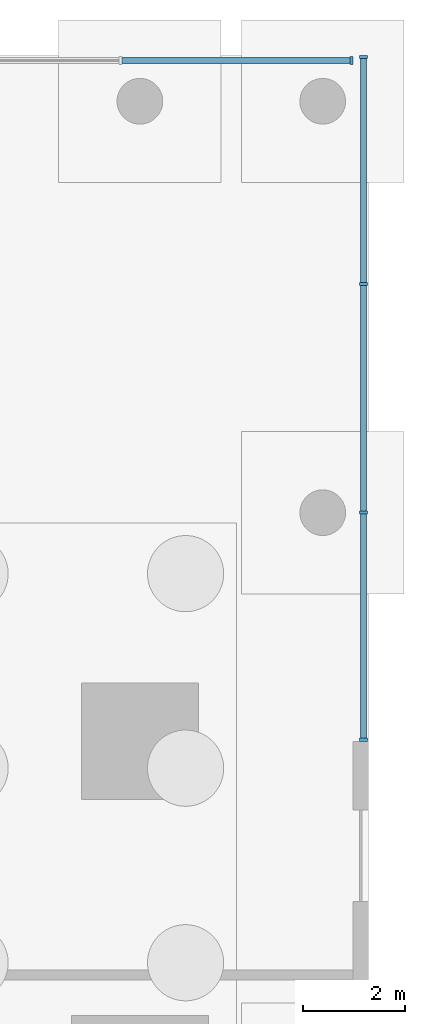
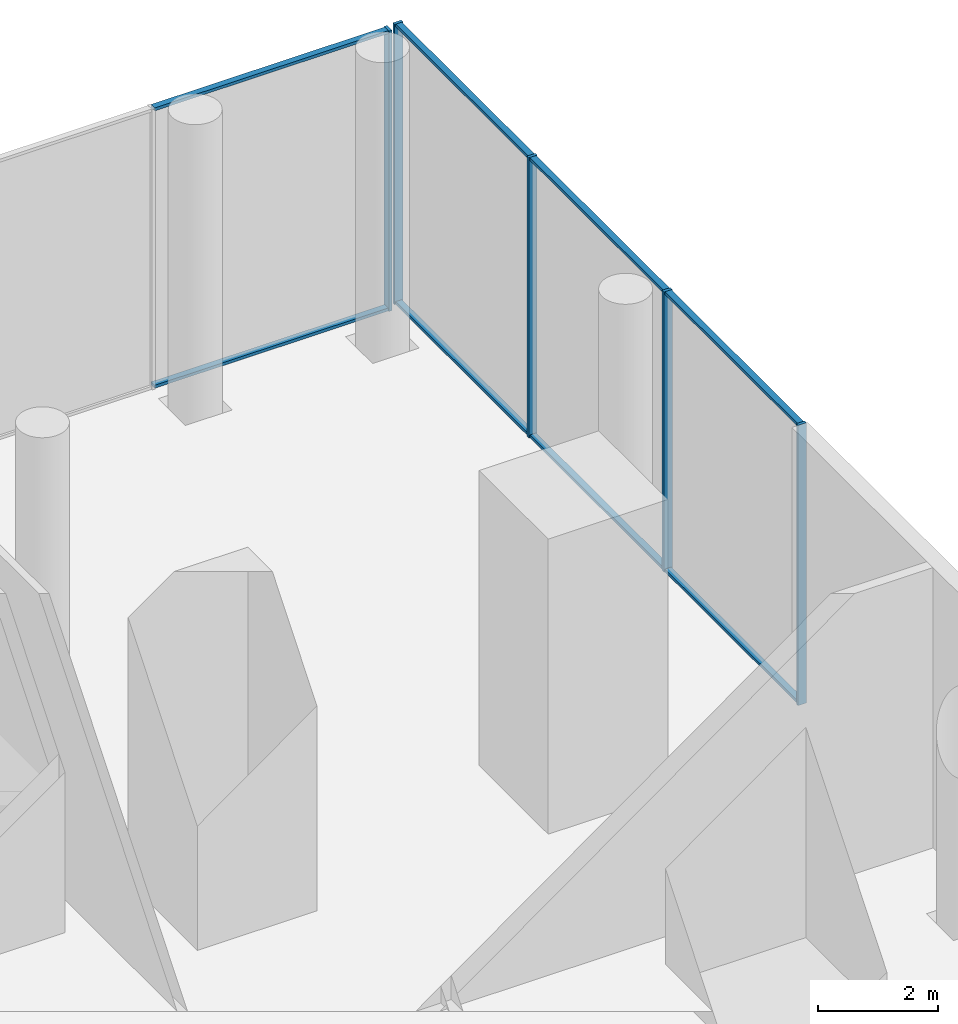
# One storey, part 14 of 31: 13 members, 2 elements without a shape of their own.
"""IFC4 building model written with IfcOpenShell, lengths in metres."""

from ifc_helpers import new_model, si_unit, direction, frame, origin, origin_2d, place, context, subcontext, project, spatial, rectangle, extrude, material, layer, layer_set, material_profile, profile_set, type_object, element, aggregate, save


model = new_model("IFC4")

# Units and contexts
model_context = context("Model", 3, precision=1e-05, world=origin(), true_north=direction((0.0, 1.0)))
body_context = subcontext(model_context, "Body", "Model", "MODEL_VIEW")
ifc_project = project(units=[si_unit("LENGTHUNIT", "METRE"), si_unit("AREAUNIT", "SQUARE_METRE"), si_unit("VOLUMEUNIT", "CUBIC_METRE"), si_unit("PLANEANGLEUNIT", "RADIAN"), si_unit("MASSUNIT", "GRAM", prefix="KILO")], contexts=[model_context])

# Site, building, storey
site_placement = place(None, origin())
site = spatial("IfcSite", under=ifc_project, at=site_placement, CompositionType="ELEMENT")
building_placement = place(site_placement, origin())
building = spatial("IfcBuilding", under=site, at=building_placement, Name="Namib Vertical Campus", CompositionType="ELEMENT")
storey_placement = place(building_placement, origin())
storey = spatial("IfcBuildingStorey", under=building, at=storey_placement, Name="L00", CompositionType="ELEMENT", Elevation=0.0)

# Curtain wall, members
ifc_material_1 = material(Name="Black aluminium curtain wall", Category="aluminium")
ifc_layer = layer(ifc_material_1, 0.199951171875)
ifc_layer_set = layer_set([ifc_layer], Name="Entrance curtain wall CW-EN")
curtain_wall_type = type_object("IfcCurtainWallType", Name="Entrance curtain wall CW-EN", PredefinedType="USERDEFINED", material=ifc_layer_set)
curtain_wall_1_placement = place(storey_placement, origin())
curtain_wall_1 = element("IfcCurtainWall", 1, at=curtain_wall_1_placement, inside=storey, type_object=curtain_wall_type, Name="Curtain wall CW-EN L00 5-1", ObjectType="CURTAIN WALL", PredefinedType="USERDEFINED")
ifc_material_2 = material(Name="Black anodised aluminium", Category="aluminium")
ifc_material_profile_1 = material_profile(ifc_material_2, rectangle(XDim=0.06005859375, YDim=0.159912109375, at=origin_2d()))
ifc_profile_set_1 = profile_set([ifc_material_profile_1], Name="Black anodised aluminium")
member_type_1 = type_object("IfcMemberType", Name="Curtain wall mullion 60x160", PredefinedType="MULLION", material=ifc_profile_set_1)
member_1_placement = place(storey_placement, frame((98.89990234375, 36.030029296875, 0.0), z_axis=(0.0, 0.0, 1.0), x_axis=(0.0, 1.0, 0.0)))
member_1 = element("IfcMember", 2, at=member_1_placement, type_object=member_type_1, Name="CW-EN mullion 1", PredefinedType="MULLION", context=body_context, shape_type="SweptSolid", body=[
    extrude(rectangle(XDim=0.06005859375, YDim=0.159912109375, at=origin_2d()), origin(), (0.0, 0.0, 1.0), 5.699951171875),
])
member_2_placement = place(storey_placement, frame((98.89990234375, 40.5, 0.0), z_axis=(0.0, 0.0, 1.0), x_axis=(0.0, 1.0, 0.0)))
member_2 = element("IfcMember", 3, at=member_2_placement, type_object=member_type_1, Name="CW-EN mullion 2", PredefinedType="MULLION", context=body_context, shape_type="SweptSolid", body=[
    extrude(rectangle(XDim=0.06005859375, YDim=0.159912109375, at=origin_2d()), origin(), (0.0, 0.0, 1.0), 5.699951171875),
])
member_3_placement = place(storey_placement, frame((98.89990234375, 45.0, 0.0), z_axis=(0.0, 0.0, 1.0), x_axis=(0.0, 1.0, 0.0)))
member_3 = element("IfcMember", 4, at=member_3_placement, type_object=member_type_1, Name="CW-EN mullion 3", PredefinedType="MULLION", context=body_context, shape_type="SweptSolid", body=[
    extrude(rectangle(XDim=0.06005859375, YDim=0.159912109375, at=origin_2d()), origin(), (0.0, 0.0, 1.0), 5.699951171875),
])
member_4_placement = place(storey_placement, frame((98.89990234375, 49.469970703125, 0.0), z_axis=(0.0, 0.0, 1.0), x_axis=(0.0, 1.0, 0.0)))
member_4 = element("IfcMember", 5, at=member_4_placement, type_object=member_type_1, Name="CW-EN mullion 4", PredefinedType="MULLION", context=body_context, shape_type="SweptSolid", body=[
    extrude(rectangle(XDim=0.06005859375, YDim=0.159912109375, at=origin_2d()), origin(), (0.0, 0.0, 1.0), 5.699951171875),
])

# Curtain wall, member
curtain_wall_2_placement = place(storey_placement, origin())
curtain_wall_2 = element("IfcCurtainWall", 6, at=curtain_wall_2_placement, inside=storey, type_object=curtain_wall_type, Name="Curtain wall CW-EN L00 15-1", ObjectType="CURTAIN WALL", PredefinedType="USERDEFINED")
member_5_placement = place(storey_placement, frame((98.669921875, 49.39990234375, 0.0), z_axis=(0.0, 0.0, 1.0), x_axis=(-1.0, 0.0, 0.0)))
member_5 = element("IfcMember", 7, at=member_5_placement, type_object=member_type_1, Name="CW-EN mullion 1", PredefinedType="MULLION", context=body_context, shape_type="SweptSolid", body=[
    extrude(rectangle(XDim=0.06005859375, YDim=0.159912109375, at=origin_2d()), origin(), (0.0, 0.0, 1.0), 5.699951171875),
])

# Member
ifc_material_3 = material(Name="Black anodised aluminium", Category="aluminium")
ifc_material_profile_2 = material_profile(ifc_material_3, rectangle(XDim=0.06005859375, YDim=0.1201171875, at=origin_2d()))
ifc_profile_set_2 = profile_set([ifc_material_profile_2], Name="Black anodised aluminium")
member_type_2 = type_object("IfcMemberType", Name="Curtain wall transom 60x120", PredefinedType="USERDEFINED", material=ifc_profile_set_2)
member_6_placement = place(storey_placement, frame((98.89990234375, 36.06005859375, 0.030029296875), z_axis=(0.0, 1.0, 0.0), x_axis=(0.0, 0.0, 1.0)))
member_6 = element("IfcMember", 8, at=member_6_placement, type_object=member_type_2, Name="CW-EN transom 1.1", ObjectType="TRANSOM", PredefinedType="USERDEFINED", context=body_context, shape_type="SweptSolid", body=[
    extrude(rectangle(XDim=0.06005859375, YDim=0.1201171875, at=origin_2d()), origin(), (0.0, 0.0, 1.0), 4.409912109375),
])

member_7_placement = place(storey_placement, frame((98.89990234375, 36.06005859375, 5.669921875), z_axis=(0.0, 1.0, 0.0), x_axis=(0.0, 0.0, 1.0)))
member_7 = element("IfcMember", 9, at=member_7_placement, type_object=member_type_2, Name="CW-EN transom 1.2", ObjectType="TRANSOM", PredefinedType="USERDEFINED", context=body_context, shape_type="SweptSolid", body=[
    extrude(rectangle(XDim=0.06005859375, YDim=0.1201171875, at=origin_2d()), origin(), (0.0, 0.0, 1.0), 4.409912109375),
])

member_8_placement = place(storey_placement, frame((98.89990234375, 40.530029296875, 0.030029296875), z_axis=(0.0, 1.0, 0.0), x_axis=(0.0, 0.0, 1.0)))
member_8 = element("IfcMember", 10, at=member_8_placement, type_object=member_type_2, Name="CW-EN transom 2.1", ObjectType="TRANSOM", PredefinedType="USERDEFINED", context=body_context, shape_type="SweptSolid", body=[
    extrude(rectangle(XDim=0.06005859375, YDim=0.1201171875, at=origin_2d()), origin(), (0.0, 0.0, 1.0), 4.43994140625),
])

member_9_placement = place(storey_placement, frame((98.89990234375, 40.530029296875, 5.669921875), z_axis=(0.0, 1.0, 0.0), x_axis=(0.0, 0.0, 1.0)))
member_9 = element("IfcMember", 11, at=member_9_placement, type_object=member_type_2, Name="CW-EN transom 2.2", ObjectType="TRANSOM", PredefinedType="USERDEFINED", context=body_context, shape_type="SweptSolid", body=[
    extrude(rectangle(XDim=0.06005859375, YDim=0.1201171875, at=origin_2d()), origin(), (0.0, 0.0, 1.0), 4.43994140625),
])

member_10_placement = place(storey_placement, frame((98.89990234375, 45.030029296875, 0.030029296875), z_axis=(0.0, 1.0, 0.0), x_axis=(0.0, 0.0, 1.0)))
member_10 = element("IfcMember", 12, at=member_10_placement, type_object=member_type_2, Name="CW-EN transom 3.1", ObjectType="TRANSOM", PredefinedType="USERDEFINED", context=body_context, shape_type="SweptSolid", body=[
    extrude(rectangle(XDim=0.06005859375, YDim=0.1201171875, at=origin_2d()), origin(), (0.0, 0.0, 1.0), 4.409912109375),
])

member_11_placement = place(storey_placement, frame((98.89990234375, 45.030029296875, 5.669921875), z_axis=(0.0, 1.0, 0.0), x_axis=(0.0, 0.0, 1.0)))
member_11 = element("IfcMember", 13, at=member_11_placement, type_object=member_type_2, Name="CW-EN transom 3.2", ObjectType="TRANSOM", PredefinedType="USERDEFINED", context=body_context, shape_type="SweptSolid", body=[
    extrude(rectangle(XDim=0.06005859375, YDim=0.1201171875, at=origin_2d()), origin(), (0.0, 0.0, 1.0), 4.409912109375),
])

aggregate(curtain_wall_1, [member_1, member_2, member_3, member_4, member_6, member_7, member_8, member_9, member_10, member_11])

member_12_placement = place(storey_placement, frame((98.639892578125, 49.39990234375, 0.030029296875), z_axis=(-1.0, 0.0, 0.0), x_axis=(0.0, 0.0, 1.0)))
member_12 = element("IfcMember", 14, at=member_12_placement, type_object=member_type_2, Name="CW-EN transom 1.1", ObjectType="TRANSOM", PredefinedType="USERDEFINED", context=body_context, shape_type="SweptSolid", body=[
    extrude(rectangle(XDim=0.06005859375, YDim=0.1201171875, at=origin_2d()), origin(), (0.0, 0.0, 1.0), 4.4931640625),
])

member_13_placement = place(storey_placement, frame((98.639892578125, 49.39990234375, 5.669921875), z_axis=(-1.0, 0.0, 0.0), x_axis=(0.0, 0.0, 1.0)))
member_13 = element("IfcMember", 15, at=member_13_placement, type_object=member_type_2, Name="CW-EN transom 1.2", ObjectType="TRANSOM", PredefinedType="USERDEFINED", context=body_context, shape_type="SweptSolid", body=[
    extrude(rectangle(XDim=0.06005859375, YDim=0.1201171875, at=origin_2d()), origin(), (0.0, 0.0, 1.0), 4.4931640625),
])

aggregate(curtain_wall_2, [member_5, member_12, member_13])

save(model, "model.ifc")
